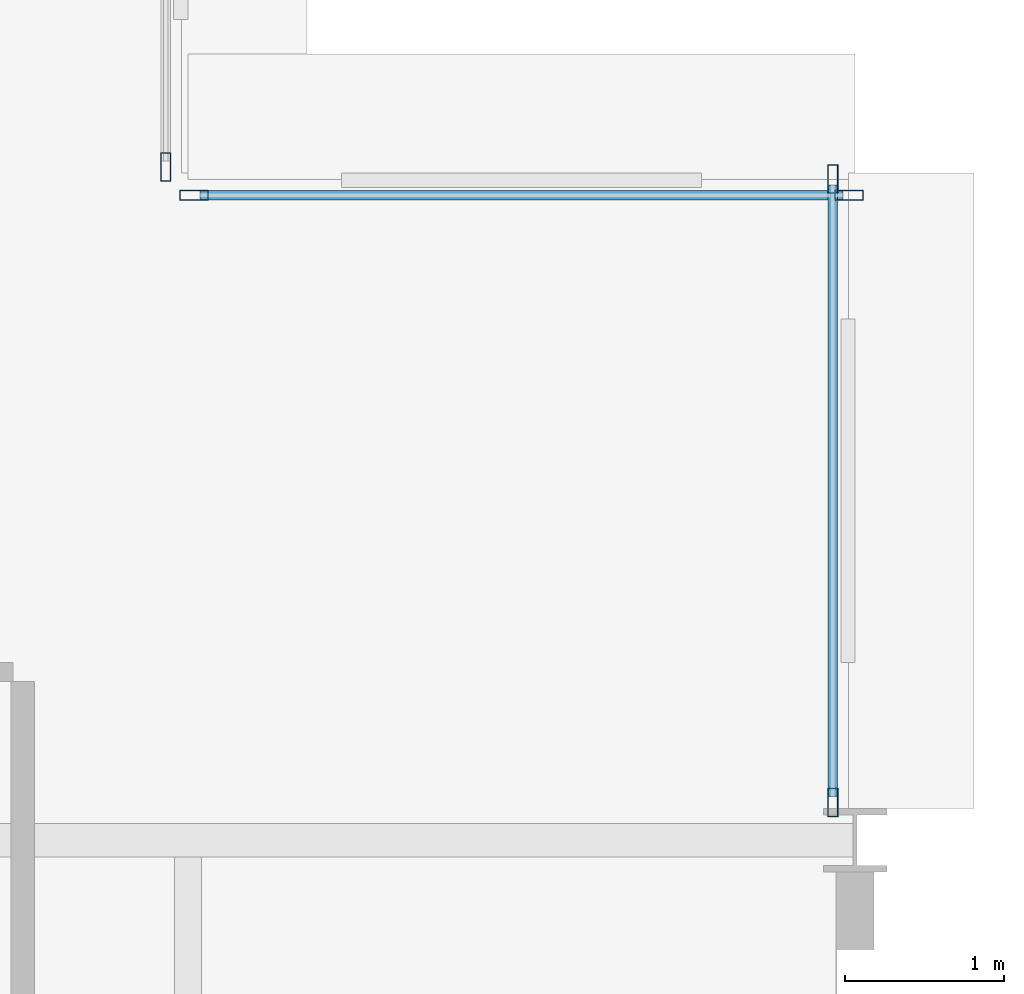
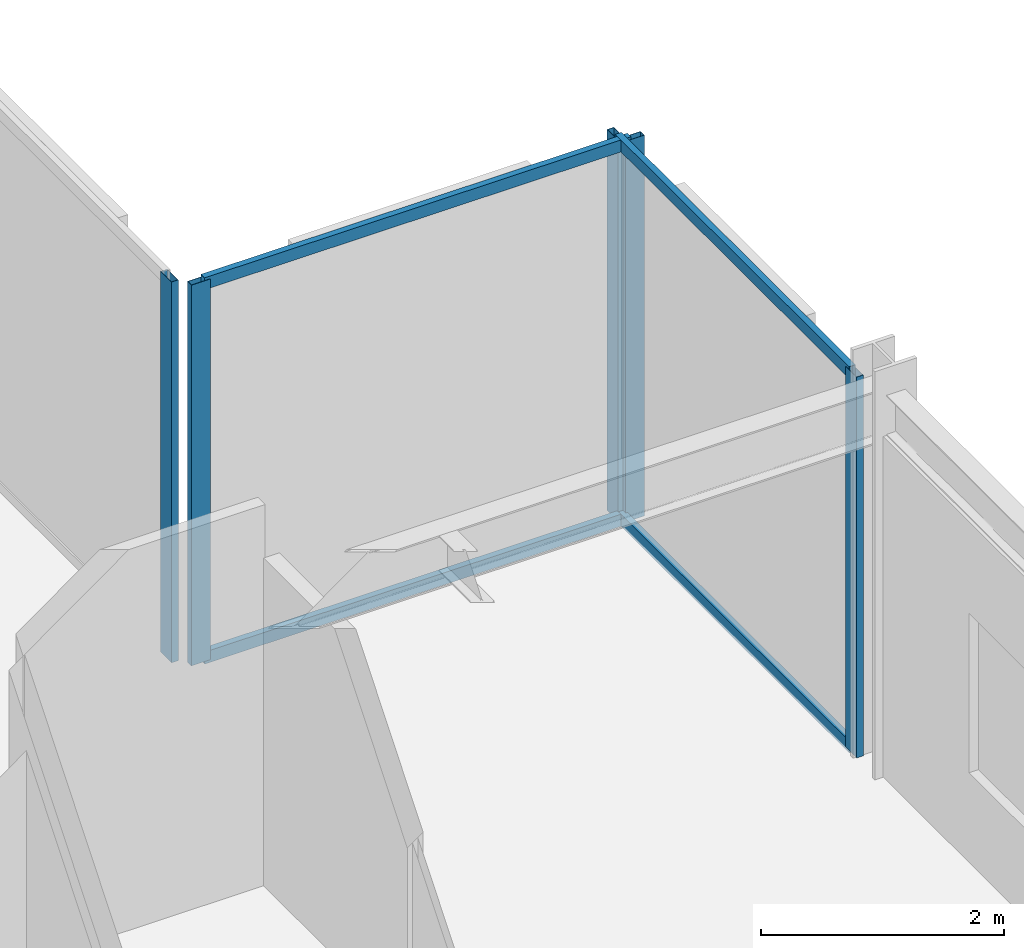
# One storey, part 20 of 30: 9 members, 3 elements without a shape of their own.
"""IFC4 building model written with IfcOpenShell, lengths in metres."""

from ifc_helpers import new_model, si_unit, direction, frame, origin, origin_2d, place, context, subcontext, project, spatial, hollow_rectangle, extrude, material, layer, layer_set, material_profile, profile_set, type_object, element, aggregate, save


model = new_model("IFC4")

# Units and contexts
model_context = context("Model", 3, precision=1e-05, world=origin(), true_north=direction((0.0, 1.0)))
body_context = subcontext(model_context, "Body", "Model", "MODEL_VIEW")
ifc_project = project(units=[si_unit("LENGTHUNIT", "METRE"), si_unit("AREAUNIT", "SQUARE_METRE"), si_unit("VOLUMEUNIT", "CUBIC_METRE"), si_unit("PLANEANGLEUNIT", "RADIAN"), si_unit("MASSUNIT", "GRAM", prefix="KILO")], contexts=[model_context])

# Site, building, storey
site_placement = place(None, origin())
site = spatial("IfcSite", under=ifc_project, at=site_placement, CompositionType="ELEMENT")
building_placement = place(site_placement, origin())
building = spatial("IfcBuilding", under=site, at=building_placement, Name="Nerrivon Quay Data Exchange", CompositionType="ELEMENT")
storey_placement = place(building_placement, frame((0.0, 0.0, 154.10009765625)))
storey = spatial("IfcBuildingStorey", under=building, at=storey_placement, Name="L36", CompositionType="ELEMENT", Elevation=154.10009765625)

# Curtain wall, member
ifc_material = material(Name="Anodised aluminium 6063-T6", Category="aluminium")
ifc_layer = layer(ifc_material, 0.2099609375)
ifc_layer_set = layer_set([ifc_layer], Name="Anodised aluminium 6063-T6")
curtain_wall_type = type_object("IfcCurtainWallType", Name="CW-SYS-02", PredefinedType="NOTDEFINED", material=ifc_layer_set)
curtain_wall_1_placement = place(storey_placement, origin())
curtain_wall_1 = element("IfcCurtainWall", 1, at=curtain_wall_1_placement, inside=storey, type_object=curtain_wall_type, Name="L36 Unitised Curtain Wall 21", PredefinedType="NOTDEFINED")
ifc_material_profile_1 = material_profile(ifc_material, hollow_rectangle(XDim=0.06494140625, YDim=0.179931640625, WallThickness=0.00341796875, at=origin_2d()), Name="ALU-MULL-180x65")
ifc_profile_set_1 = profile_set([ifc_material_profile_1], Name="Anodised aluminium 6063-T6")
member_type_1 = type_object("IfcMemberType", Name="CWM-180x65", PredefinedType="MULLION", material=ifc_profile_set_1)
member_1_placement = place(storey_placement, frame((20.860107421875, 46.237548828125, 0.0), z_axis=(0.0, 0.0, 1.0), x_axis=(1.0, 0.0, 0.0)))
member_1 = element("IfcMember", 2, at=member_1_placement, type_object=member_type_1, Name="CW02 mullion 2", PredefinedType="MULLION", context=body_context, shape_type="SweptSolid", body=[
    extrude(hollow_rectangle(XDim=0.06494140625, YDim=0.179931640625, WallThickness=0.00341796875, at=origin_2d()), origin(), (0.0, 0.0, 1.0), 3.824951171875),
])
aggregate(curtain_wall_1, [member_1])

# Curtain wall, members
curtain_wall_2_placement = place(storey_placement, origin())
curtain_wall_2 = element("IfcCurtainWall", 3, at=curtain_wall_2_placement, inside=storey, type_object=curtain_wall_type, Name="L36 Unitised Curtain Wall 22", PredefinedType="NOTDEFINED")
member_2_placement = place(storey_placement, frame((21.03759765625, 46.06005859375, 0.0), z_axis=(0.0, 0.0, 1.0), x_axis=(0.0, 1.0, 0.0)))
member_2 = element("IfcMember", 4, at=member_2_placement, type_object=member_type_1, Name="CW02 mullion 1", PredefinedType="MULLION", context=body_context, shape_type="SweptSolid", body=[
    extrude(hollow_rectangle(XDim=0.06494140625, YDim=0.179931640625, WallThickness=0.00341796875, at=origin_2d()), origin(), (0.0, 0.0, 1.0), 3.824951171875),
])
member_3_placement = place(storey_placement, frame((25.16259765625, 46.06005859375, 0.0), z_axis=(0.0, 0.0, 1.0), x_axis=(0.0, 1.0, 0.0)))
member_3 = element("IfcMember", 5, at=member_3_placement, type_object=member_type_1, Name="CW02 mullion 2", PredefinedType="MULLION", context=body_context, shape_type="SweptSolid", body=[
    extrude(hollow_rectangle(XDim=0.06494140625, YDim=0.179931640625, WallThickness=0.00341796875, at=origin_2d()), origin(), (0.0, 0.0, 1.0), 3.824951171875),
])

curtain_wall_3_placement = place(storey_placement, origin())
curtain_wall_3 = element("IfcCurtainWall", 6, at=curtain_wall_3_placement, inside=storey, type_object=curtain_wall_type, Name="L36 Unitised Curtain Wall 23", PredefinedType="NOTDEFINED")
member_4_placement = place(storey_placement, frame((25.06005859375, 46.16259765625, 0.0), z_axis=(0.0, 0.0, 1.0), x_axis=(1.0, 0.0, 0.0)))
member_4 = element("IfcMember", 7, at=member_4_placement, type_object=member_type_1, Name="CW02 mullion 1", PredefinedType="MULLION", context=body_context, shape_type="SweptSolid", body=[
    extrude(hollow_rectangle(XDim=0.06494140625, YDim=0.179931640625, WallThickness=0.00341796875, at=origin_2d()), origin(), (0.0, 0.0, 1.0), 3.824951171875),
])
member_5_placement = place(storey_placement, frame((25.06005859375, 42.237548828125, 0.0), z_axis=(0.0, 0.0, 1.0), x_axis=(1.0, 0.0, 0.0)))
member_5 = element("IfcMember", 8, at=member_5_placement, type_object=member_type_1, Name="CW02 mullion 2", PredefinedType="MULLION", context=body_context, shape_type="SweptSolid", body=[
    extrude(hollow_rectangle(XDim=0.06494140625, YDim=0.179931640625, WallThickness=0.00341796875, at=origin_2d()), origin(), (0.0, 0.0, 1.0), 3.824951171875),
])

# Member
ifc_material_profile_2 = material_profile(ifc_material, hollow_rectangle(XDim=0.06005859375, YDim=0.1201171875, WallThickness=0.003173828125, at=origin_2d()), Name="ALU-TRAN-120x60")
ifc_profile_set_2 = profile_set([ifc_material_profile_2], Name="Anodised aluminium 6063-T6")
member_type_2 = type_object("IfcMemberType", Name="CWT-120x60", PredefinedType="USERDEFINED", material=ifc_profile_set_2)
member_6_placement = place(storey_placement, frame((21.074951171875, 46.06005859375, 0.032470703125), z_axis=(1.0, 0.0, 0.0), x_axis=(0.0, 1.0, 0.0)))
member_6 = element("IfcMember", 9, at=member_6_placement, type_object=member_type_2, Name="CW02 transom 1.1", ObjectType="TRANSOM", PredefinedType="USERDEFINED", context=body_context, shape_type="SweptSolid", body=[
    extrude(hollow_rectangle(XDim=0.06005859375, YDim=0.1201171875, WallThickness=0.003173828125, at=origin_2d()), origin(), (0.0, 0.0, 1.0), 4.050048828125),
])

member_7_placement = place(storey_placement, frame((21.074951171875, 46.06005859375, 3.79248046875), z_axis=(1.0, 0.0, 0.0), x_axis=(0.0, 1.0, 0.0)))
member_7 = element("IfcMember", 10, at=member_7_placement, type_object=member_type_2, Name="CW02 transom 1.2", ObjectType="TRANSOM", PredefinedType="USERDEFINED", context=body_context, shape_type="SweptSolid", body=[
    extrude(hollow_rectangle(XDim=0.06005859375, YDim=0.1201171875, WallThickness=0.003173828125, at=origin_2d()), origin(), (0.0, 0.0, 1.0), 4.050048828125),
])

aggregate(curtain_wall_2, [member_2, member_3, member_6, member_7])

member_8_placement = place(storey_placement, frame((25.06005859375, 46.125, 0.032470703125), z_axis=(0.0, -1.0, 0.0), x_axis=(1.0, 0.0, 0.0)))
member_8 = element("IfcMember", 11, at=member_8_placement, type_object=member_type_2, Name="CW02 transom 1.1", ObjectType="TRANSOM", PredefinedType="USERDEFINED", context=body_context, shape_type="SweptSolid", body=[
    extrude(hollow_rectangle(XDim=0.06005859375, YDim=0.1201171875, WallThickness=0.003173828125, at=origin_2d()), origin(), (0.0, 0.0, 1.0), 3.85009765625),
])

member_9_placement = place(storey_placement, frame((25.06005859375, 46.125, 3.79248046875), z_axis=(0.0, -1.0, 0.0), x_axis=(1.0, 0.0, 0.0)))
member_9 = element("IfcMember", 12, at=member_9_placement, type_object=member_type_2, Name="CW02 transom 1.2", ObjectType="TRANSOM", PredefinedType="USERDEFINED", context=body_context, shape_type="SweptSolid", body=[
    extrude(hollow_rectangle(XDim=0.06005859375, YDim=0.1201171875, WallThickness=0.003173828125, at=origin_2d()), origin(), (0.0, 0.0, 1.0), 3.85009765625),
])

aggregate(curtain_wall_3, [member_4, member_5, member_8, member_9])

save(model, "model.ifc")
